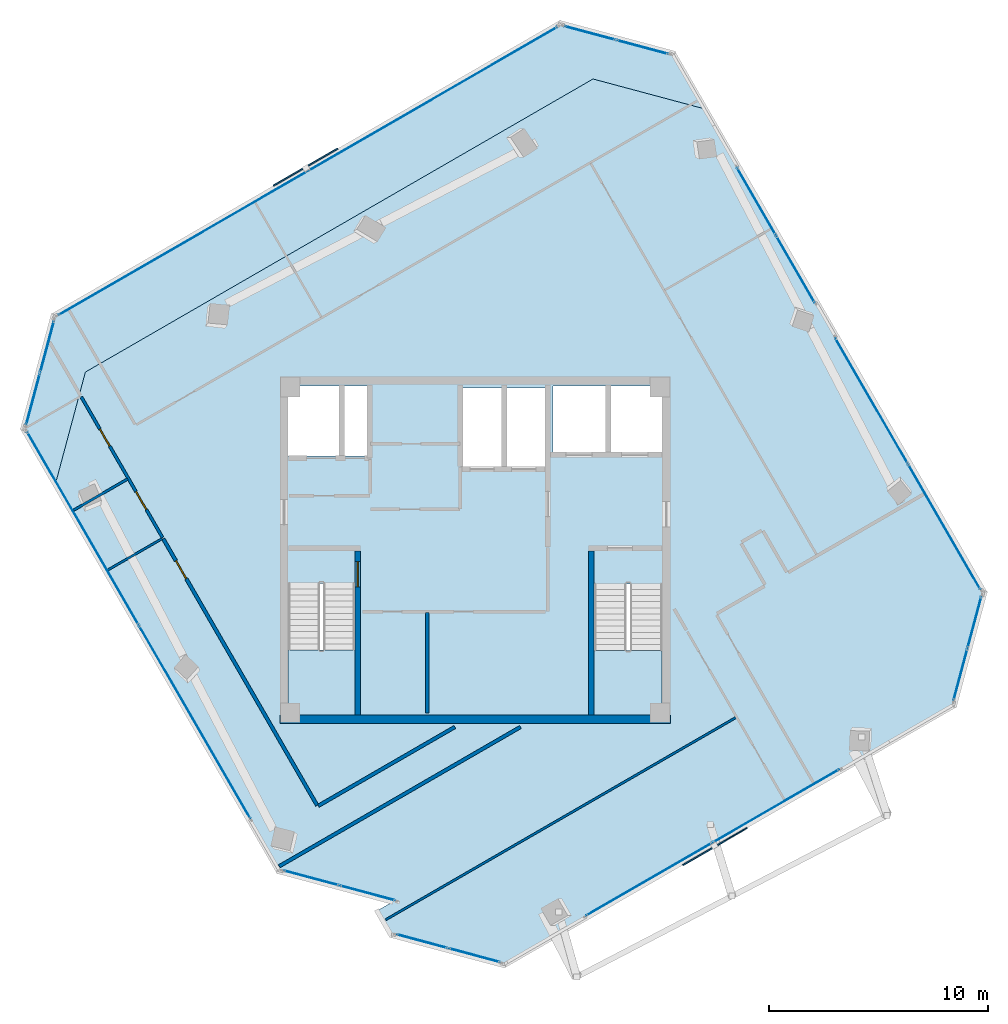
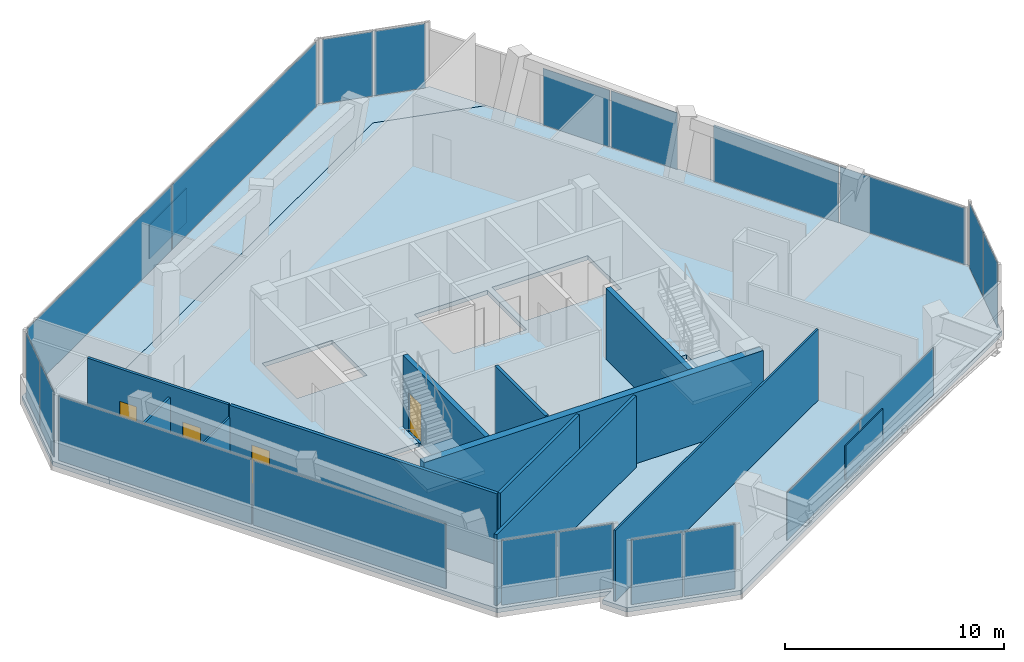
# One storey, part 10 of 15: 22 plates, 11 walls, 4 doors, 4 slabs, 4 openings, 12 elements without a shape of their own.
"""IFC4 building model written with IfcOpenShell, lengths in metres."""

from ifc_helpers import new_model, si_unit, direction, frame, frame_2d, origin, origin_2d, place, context, subcontext, project, spatial, polyline, rectangle, outline, extrude, source, transform, mapped, material, layer, layer_set, type_object, element, fill, aggregate, save


model = new_model("IFC4")

# Units and contexts
model_context = context("Model", 3, precision=1e-05, world=origin(), true_north=direction((0.0, 1.0)))
body_context = subcontext(model_context, "Body", "Model", "MODEL_VIEW")
ifc_project = project(units=[si_unit("LENGTHUNIT", "METRE"), si_unit("AREAUNIT", "SQUARE_METRE"), si_unit("VOLUMEUNIT", "CUBIC_METRE"), si_unit("PLANEANGLEUNIT", "RADIAN"), si_unit("MASSUNIT", "GRAM", prefix="KILO")], contexts=[model_context])

# Site, building, storey
site_placement = place(None, origin())
site = spatial("IfcSite", under=ifc_project, at=site_placement, CompositionType="ELEMENT")
building_placement = place(site_placement, origin())
building = spatial("IfcBuilding", under=site, at=building_placement, Name="Torre Montelarca", CompositionType="ELEMENT")
storey_placement = place(building_placement, frame((0.0, 0.0, 324.0)))
storey = spatial("IfcBuildingStorey", under=building, at=storey_placement, Name="L73", CompositionType="ELEMENT", Elevation=324.0)

# Slabs
ifc_material_1 = material(Name="Concrete C40/50", Category="concrete")
ifc_layer_1 = layer(ifc_material_1, 0.239990234375, Name="Concrete C40/50", Category="concrete")
ifc_layer_set_1 = layer_set([ifc_layer_1], Name="Concrete C40/50")
slab_type_1 = type_object("IfcSlabType", Name="SL-FLR-240", PredefinedType="FLOOR", material=ifc_layer_set_1)
slab_1_placement = place(storey_placement, frame((0.0, 0.0, -0.239990234375)))
element("IfcSlab", 1, at=slab_1_placement, inside=storey, type_object=slab_type_1, Name="L73 Structural Floor Slab", PredefinedType="FLOOR", context=body_context, shape_type="SweptSolid", body=[
    extrude(outline(polyline([(8.98828125, 17.270751953125), (14.17919921875, 15.8798828125), (13.486328125, 15.47998046875), (14.136474609375, 14.35400390625), (19.327392578125, 12.963134765625), (39.938720703125, 24.86328125), (41.32958984375, 30.05419921875), (28.57958984375, 52.1376953125), (23.388671875, 53.528564453125), (0.17919921875, 40.128662109375), (-1.211669921875, 34.937744140625), (8.98828125, 17.270751953125)]), holes=[polyline([(26.550048828125, 24.449951171875), (23.43994140625, 24.449951171875), (23.43994140625, 30.429931640625), (26.550048828125, 30.429931640625), (26.550048828125, 24.449951171875)]), polyline([(12.5, 24.449951171875), (9.449951171875, 24.449951171875), (9.449951171875, 30.4599609375), (12.5, 30.4599609375), (12.5, 24.449951171875)]), polyline([(21.25, 39.39990234375), (21.25, 35.800048828125), (17.39990234375, 35.800048828125), (17.39990234375, 39.39990234375), (21.25, 39.39990234375)]), polyline([(13.1201171875, 36.300048828125), (9.449951171875, 36.300048828125), (9.449951171875, 39.5), (13.1201171875, 39.5), (13.1201171875, 36.300048828125)]), polyline([(26.60009765625, 36.449951171875), (21.550048828125, 36.449951171875), (21.550048828125, 39.5), (26.60009765625, 39.5), (26.60009765625, 36.449951171875)])]), origin(), (0.0, 0.0, 1.0), 0.239990234375),
])
slab_2_placement = place(storey_placement, frame((0.0, 0.0, -0.239990234375)))
element("IfcSlab", 2, at=slab_2_placement, inside=storey, type_object=slab_type_1, Name="L73 Sliding Tray Winter Garden Floor Slab W1", PredefinedType="FLOOR", context=body_context, shape_type="SweptSolid", body=[
    extrude(outline(polyline([(-1.211669921875, 34.937744140625), (0.17919921875, 40.128662109375), (23.388671875, 53.528564453125), (28.57958984375, 52.1376953125), (27.07958984375, 54.73583984375), (21.888671875, 56.126708984375), (-1.32080078125, 42.726806640625), (-2.711669921875, 37.535888671875), (-1.211669921875, 34.937744140625)])), origin(), (0.0, 0.0, 1.0), 0.239990234375),
])

# Stair, slab
stair_type_1 = type_object("IfcStairType", Name="ST-CORE-ST1", PredefinedType="HALF_TURN_STAIR", material=ifc_material_1)
stair_1_placement = place(storey_placement, origin())
stair_1 = element("IfcStair", 3, at=stair_1_placement, inside=storey, type_object=stair_type_1, Name="L73 Protected Exit Stair ST1", PredefinedType="HALF_TURN_STAIR")
ifc_layer_2 = layer(ifc_material_1, 0.199951171875, Name="Concrete C40/50", Category="concrete")
ifc_layer_set_2 = layer_set([ifc_layer_2], Name="Concrete C40/50")
slab_type_2 = type_object("IfcSlabType", Name="SL-ST-LAND-ST1", PredefinedType="LANDING", material=ifc_layer_set_2)
slab_3_placement = place(storey_placement, frame((0.0, 0.0, 1.89990234375)))
slab_3 = element("IfcSlab", 4, at=slab_3_placement, type_object=slab_type_2, Name="ST1 landing 1", PredefinedType="LANDING", context=body_context, shape_type="SweptSolid", body=[
    extrude(outline(polyline([(9.449951171875, 27.419921875), (9.449951171875, 24.449951171875), (12.5, 24.449951171875), (12.5, 27.419921875), (9.449951171875, 27.419921875)])), origin(), (0.0, 0.0, 1.0), 0.2001953125),
])
aggregate(stair_1, [slab_3])

stair_type_2 = type_object("IfcStairType", Name="ST-CORE-ST2", PredefinedType="HALF_TURN_STAIR", material=ifc_material_1)
stair_2_placement = place(storey_placement, origin())
stair_2 = element("IfcStair", 5, at=stair_2_placement, inside=storey, type_object=stair_type_2, Name="L73 Protected Exit Stair ST2", PredefinedType="HALF_TURN_STAIR")
ifc_layer_3 = layer(ifc_material_1, 0.199951171875, Name="Concrete C40/50", Category="concrete")
ifc_layer_set_3 = layer_set([ifc_layer_3], Name="Concrete C40/50")
slab_type_3 = type_object("IfcSlabType", Name="SL-ST-LAND-ST2", PredefinedType="LANDING", material=ifc_layer_set_3)
slab_4_placement = place(storey_placement, frame((0.0, 0.0, 1.89990234375)))
slab_4 = element("IfcSlab", 6, at=slab_4_placement, type_object=slab_type_3, Name="ST2 landing 1", PredefinedType="LANDING", context=body_context, shape_type="SweptSolid", body=[
    extrude(outline(polyline([(23.43994140625, 27.389892578125), (23.43994140625, 24.449951171875), (26.550048828125, 24.449951171875), (26.550048828125, 27.389892578125), (23.43994140625, 27.389892578125)])), origin(), (0.0, 0.0, 1.0), 0.2001953125),
])
aggregate(stair_2, [slab_4])

# Plates
ifc_material_2 = material(Name="Architectural perforated terracotta ceramic", Category="masonry")
ifc_layer_4 = layer(ifc_material_2, 0.06005859375, Name="Architectural perforated terracotta ceramic", Category="masonry")
ifc_layer_set_4 = layer_set([ifc_layer_4], Name="Architectural perforated terracotta ceramic")
plate_type_1 = type_object("IfcPlateType", Name="SCR-CER-60", PredefinedType="USERDEFINED", material=ifc_layer_set_4)
shared_shape_1 = source(origin(), body_context, "Body", "SweptSolid", [
    extrude(rectangle(XDim=3.39990234375, YDim=0.06005859375, at=origin_2d()), origin(), (0.0, 0.0, 1.0), 1.89990234375),
])
for number, where, z_axis, x_axis, name in (
    (7, (28.962890625, 18.433837890625, 0.5), (0.0, 0.0, 1.0), (0.866025403784, 0.5, 0.0), "L73 Perforated Ceramic Brise-Soleil Screen E6-1"),
    (8, (10.243896484375, 49.49609375, 0.5), (0.0, 0.0, 1.0), (-0.866025403784, -0.5, 0.0), "L73 Perforated Ceramic Brise-Soleil Screen E10-1"),
):
    element("IfcPlate", number, at=place(storey_placement, frame(where, z_axis=z_axis, x_axis=x_axis)), inside=storey, type_object=plate_type_1, Name=name, ObjectType="SOLAR SCREEN", PredefinedType="USERDEFINED", context=body_context, shape_type="MappedRepresentation", body=[
        mapped(shared_shape_1, transform((0.0, 0.0, 0.0), scale=1.0)),
    ])

# Curtain wall, plates
ifc_material_3 = material(Name="Insulated low-E laminated glass", Category="glass")
curtain_wall_type = type_object("IfcCurtainWallType", Name="CW-SYS-Z4", PredefinedType="USERDEFINED", material=ifc_material_3)
curtain_wall_1_placement = place(storey_placement, origin())
curtain_wall_1 = element("IfcCurtainWall", 9, at=curtain_wall_1_placement, inside=storey, type_object=curtain_wall_type, Name="L73 Curtain Wall Run CW-T3-L73-E02-B1", ObjectType="UNITISED GLAZING", PredefinedType="USERDEFINED")
ifc_layer_5 = layer(ifc_material_3, 0.035888671875, Name="Insulated low-E laminated glass", Category="glass")
ifc_layer_set_5 = layer_set([ifc_layer_5], Name="Insulated low-E laminated glass")
plate_type_2 = type_object("IfcPlateType", Name="CWP-GLZ-36", PredefinedType="CURTAIN_PANEL", material=ifc_layer_set_5)
shared_shape_2 = source(origin(), body_context, "Body", "SweptSolid", [
    extrude(rectangle(XDim=2.592529296875, YDim=0.035888671875, at=origin_2d()), origin(), (0.0, 0.0, 1.0), 3.590087890625),
])
plate_1_placement = place(storey_placement, frame((10.506591796875, 16.99853515625, 0.06494140625), z_axis=(0.0, 0.0, 1.0), x_axis=(0.965925609095, -0.25881985568, 0.0)))
plate_1 = element("IfcPlate", 10, at=plate_1_placement, type_object=plate_type_2, Name="CW panel 1.1", PredefinedType="CURTAIN_PANEL", context=body_context, shape_type="MappedRepresentation", body=[
    mapped(shared_shape_2, transform((0.0, 0.0, 0.0), scale=1.0)),
])
plate_2_placement = place(storey_placement, frame((13.083251953125, 16.30810546875, 0.06494140625), z_axis=(0.0, 0.0, 1.0), x_axis=(0.965925609095, -0.25881985568, 0.0)))
plate_2 = element("IfcPlate", 11, at=plate_2_placement, type_object=plate_type_2, Name="CW panel 2.1", PredefinedType="CURTAIN_PANEL", context=body_context, shape_type="MappedRepresentation", body=[
    mapped(shared_shape_2, transform((0.0, 0.0, 0.0), scale=1.0)),
])
aggregate(curtain_wall_1, [plate_1, plate_2])

curtain_wall_2_placement = place(storey_placement, origin())
curtain_wall_2 = element("IfcCurtainWall", 12, at=curtain_wall_2_placement, inside=storey, type_object=curtain_wall_type, Name="L73 Curtain Wall Run CW-T3-L73-E05-B1", ObjectType="UNITISED GLAZING", PredefinedType="USERDEFINED")
shared_shape_3 = source(origin(), body_context, "Body", "SweptSolid", [
    extrude(rectangle(XDim=2.40869140625, YDim=0.035888671875, at=origin_2d()), origin(), (0.0, 0.0, 1.0), 3.590087890625),
])
plate_3_placement = place(storey_placement, frame((15.56591796875, 14.105712890625, 0.06494140625), z_axis=(0.0, 0.0, 1.0), x_axis=(0.965926805359, -0.258815391137, 0.0)))
plate_3 = element("IfcPlate", 13, at=plate_3_placement, type_object=plate_type_2, Name="CW panel 1.1", PredefinedType="CURTAIN_PANEL", context=body_context, shape_type="MappedRepresentation", body=[
    mapped(shared_shape_3, transform((0.0, 0.0, 0.0), scale=1.0)),
])
plate_4_placement = place(storey_placement, frame((17.965087890625, 13.462890625, 0.06494140625), z_axis=(0.0, 0.0, 1.0), x_axis=(0.965926805359, -0.258815391137, 0.0)))
plate_4 = element("IfcPlate", 14, at=plate_4_placement, type_object=plate_type_2, Name="CW panel 2.1", PredefinedType="CURTAIN_PANEL", context=body_context, shape_type="MappedRepresentation", body=[
    mapped(shared_shape_3, transform((0.0, 0.0, 0.0), scale=1.0)),
])
aggregate(curtain_wall_2, [plate_3, plate_4])

curtain_wall_3_placement = place(storey_placement, origin())
curtain_wall_3 = element("IfcCurtainWall", 15, at=curtain_wall_3_placement, inside=storey, type_object=curtain_wall_type, Name="L73 Curtain Wall Run CW-T3-L73-E07-B1", ObjectType="UNITISED GLAZING", PredefinedType="USERDEFINED")
plate_5_placement = place(storey_placement, frame((40.187255859375, 26.292724609375, 0.06494140625), z_axis=(0.0, 0.0, 1.0), x_axis=(0.258815391137, 0.965926805359, 0.0)))
plate_5 = element("IfcPlate", 16, at=plate_5_placement, type_object=plate_type_2, Name="CW panel 1.1", PredefinedType="CURTAIN_PANEL", context=body_context, shape_type="MappedRepresentation", body=[
    mapped(shared_shape_3, transform((0.0, 0.0, 0.0), scale=1.0)),
])
plate_6_placement = place(storey_placement, frame((40.830078125, 28.69189453125, 0.06494140625), z_axis=(0.0, 0.0, 1.0), x_axis=(0.258815391137, 0.965926805359, 0.0)))
plate_6 = element("IfcPlate", 17, at=plate_6_placement, type_object=plate_type_2, Name="CW panel 2.1", PredefinedType="CURTAIN_PANEL", context=body_context, shape_type="MappedRepresentation", body=[
    mapped(shared_shape_3, transform((0.0, 0.0, 0.0), scale=1.0)),
])
aggregate(curtain_wall_3, [plate_5, plate_6])

curtain_wall_4_placement = place(storey_placement, origin())
curtain_wall_4 = element("IfcCurtainWall", 18, at=curtain_wall_4_placement, inside=storey, type_object=curtain_wall_type, Name="L73 Curtain Wall Run CW-T3-L73-E09-B1", ObjectType="UNITISED GLAZING", PredefinedType="USERDEFINED")
plate_7_placement = place(storey_placement, frame((25.64990234375, 54.984375, 0.06494140625), z_axis=(0.0, 0.0, 1.0), x_axis=(-0.965926805359, 0.258815391137, 0.0)))
plate_7 = element("IfcPlate", 19, at=plate_7_placement, type_object=plate_type_2, Name="CW panel 1.1", PredefinedType="CURTAIN_PANEL", context=body_context, shape_type="MappedRepresentation", body=[
    mapped(shared_shape_3, transform((0.0, 0.0, 0.0), scale=1.0)),
])
plate_8_placement = place(storey_placement, frame((23.2509765625, 55.627197265625, 0.06494140625), z_axis=(0.0, 0.0, 1.0), x_axis=(-0.965926805359, 0.258815391137, 0.0)))
plate_8 = element("IfcPlate", 20, at=plate_8_placement, type_object=plate_type_2, Name="CW panel 2.1", PredefinedType="CURTAIN_PANEL", context=body_context, shape_type="MappedRepresentation", body=[
    mapped(shared_shape_3, transform((0.0, 0.0, 0.0), scale=1.0)),
])
aggregate(curtain_wall_4, [plate_7, plate_8])

curtain_wall_5_placement = place(storey_placement, origin())
curtain_wall_5 = element("IfcCurtainWall", 21, at=curtain_wall_5_placement, inside=storey, type_object=curtain_wall_type, Name="L73 Curtain Wall Run CW-T3-L73-E11-B1", ObjectType="UNITISED GLAZING", PredefinedType="USERDEFINED")
plate_9_placement = place(storey_placement, frame((-1.5693359375, 41.297119140625, 0.06494140625), z_axis=(0.0, 0.0, 1.0), x_axis=(-0.258815391137, -0.965926805359, 0.0)))
plate_9 = element("IfcPlate", 22, at=plate_9_placement, type_object=plate_type_2, Name="CW panel 1.1", PredefinedType="CURTAIN_PANEL", context=body_context, shape_type="MappedRepresentation", body=[
    mapped(shared_shape_3, transform((0.0, 0.0, 0.0), scale=1.0)),
])
plate_10_placement = place(storey_placement, frame((-2.212158203125, 38.898193359375, 0.06494140625), z_axis=(0.0, 0.0, 1.0), x_axis=(-0.258815391137, -0.965926805359, 0.0)))
plate_10 = element("IfcPlate", 23, at=plate_10_placement, type_object=plate_type_2, Name="CW panel 2.1", PredefinedType="CURTAIN_PANEL", context=body_context, shape_type="MappedRepresentation", body=[
    mapped(shared_shape_3, transform((0.0, 0.0, 0.0), scale=1.0)),
])
aggregate(curtain_wall_5, [plate_9, plate_10])

curtain_wall_6_placement = place(storey_placement, origin())
curtain_wall_6 = element("IfcCurtainWall", 24, at=curtain_wall_6_placement, inside=storey, type_object=curtain_wall_type, Name="L73 Curtain Wall Run CW-T3-L73-E10-B1", ObjectType="UNITISED GLAZING", PredefinedType="USERDEFINED")
shared_shape_4 = source(origin(), body_context, "Body", "SweptSolid", [
    extrude(rectangle(XDim=13.12158203125, YDim=0.035888671875, at=origin_2d()), origin(), (0.0, 0.0, 1.0), 3.590087890625),
])
plate_11_placement = place(storey_placement, frame((16.063232421875, 52.61328125, 0.06494140625), z_axis=(0.0, 0.0, 1.0), x_axis=(-0.866025339582, -0.500000111201, 0.0)))
plate_11 = element("IfcPlate", 25, at=plate_11_placement, type_object=plate_type_2, Name="CW panel 1.1", PredefinedType="CURTAIN_PANEL", context=body_context, shape_type="MappedRepresentation", body=[
    mapped(shared_shape_4, transform((0.0, 0.0, 0.0), scale=1.0)),
])
plate_12_placement = place(storey_placement, frame((4.634521484375, 46.014892578125, 0.06494140625), z_axis=(0.0, 0.0, 1.0), x_axis=(-0.866025339582, -0.500000111201, 0.0)))
plate_12 = element("IfcPlate", 26, at=plate_12_placement, type_object=plate_type_2, Name="CW panel 2.1", PredefinedType="CURTAIN_PANEL", context=body_context, shape_type="MappedRepresentation", body=[
    mapped(shared_shape_4, transform((0.0, 0.0, 0.0), scale=1.0)),
])
aggregate(curtain_wall_6, [plate_11, plate_12])

curtain_wall_7_placement = place(storey_placement, origin())
curtain_wall_7 = element("IfcCurtainWall", 27, at=curtain_wall_7_placement, inside=storey, type_object=curtain_wall_type, Name="L73 Curtain Wall Run CW-T3-L73-E01-B1", ObjectType="UNITISED GLAZING", PredefinedType="USERDEFINED")
shared_shape_5 = source(origin(), body_context, "Body", "SweptSolid", [
    extrude(rectangle(XDim=10.161865234375, YDim=0.035888671875, at=origin_2d()), origin(), (0.0, 0.0, 1.0), 3.590087890625),
])
plate_13_placement = place(storey_placement, frame((0.061767578125, 32.991943359375, 0.06494140625), z_axis=(0.0, 0.0, 1.0), x_axis=(0.500000202556, -0.866025286839, 0.0)))
plate_13 = element("IfcPlate", 28, at=plate_13_placement, type_object=plate_type_2, Name="CW panel 1.1", PredefinedType="CURTAIN_PANEL", context=body_context, shape_type="MappedRepresentation", body=[
    mapped(shared_shape_5, transform((0.0, 0.0, 0.0), scale=1.0)),
])
plate_14_placement = place(storey_placement, frame((5.18017578125, 24.126708984375, 0.06494140625), z_axis=(0.0, 0.0, 1.0), x_axis=(0.500000202556, -0.866025286839, 0.0)))
plate_14 = element("IfcPlate", 29, at=plate_14_placement, type_object=plate_type_2, Name="CW panel 2.1", PredefinedType="CURTAIN_PANEL", context=body_context, shape_type="MappedRepresentation", body=[
    mapped(shared_shape_5, transform((0.0, 0.0, 0.0), scale=1.0)),
])
aggregate(curtain_wall_7, [plate_13, plate_14])

curtain_wall_8_placement = place(storey_placement, origin())
curtain_wall_8 = element("IfcCurtainWall", 30, at=curtain_wall_8_placement, inside=storey, type_object=curtain_wall_type, Name="L73 Curtain Wall Run CW-T3-L73-E06-B1", ObjectType="UNITISED GLAZING", PredefinedType="USERDEFINED")
shared_shape_6 = source(origin(), body_context, "Body", "SweptSolid", [
    extrude(rectangle(XDim=6.637451171875, YDim=0.035888671875, at=origin_2d()), origin(), (0.0, 0.0, 1.0), 2.64501953125),
])
plate_15_placement = place(storey_placement, frame((25.951171875, 16.937744140625, 0.06494140625), z_axis=(0.0, 0.0, 1.0), x_axis=(0.866025964052, 0.499999029587, 0.0)))
plate_15 = element("IfcPlate", 31, at=plate_15_placement, type_object=plate_type_2, Name="CW panel 1.1", PredefinedType="CURTAIN_PANEL", context=body_context, shape_type="MappedRepresentation", body=[
    mapped(shared_shape_6, transform((0.0, 0.0, 0.0), scale=1.0)),
])
plate_16_placement = place(storey_placement, frame((31.764404296875, 20.2939453125, 0.06494140625), z_axis=(0.0, 0.0, 1.0), x_axis=(0.866025964052, 0.499999029587, 0.0)))
plate_16 = element("IfcPlate", 32, at=plate_16_placement, type_object=plate_type_2, Name="CW panel 2.1", PredefinedType="CURTAIN_PANEL", context=body_context, shape_type="MappedRepresentation", body=[
    mapped(shared_shape_6, transform((0.0, 0.0, 0.0), scale=1.0)),
])
aggregate(curtain_wall_8, [plate_15, plate_16])

curtain_wall_9_placement = place(storey_placement, origin())
curtain_wall_9 = element("IfcCurtainWall", 33, at=curtain_wall_9_placement, inside=storey, type_object=curtain_wall_type, Name="L73 Curtain Wall Run CW-T3-L73-E08-B1", ObjectType="UNITISED GLAZING", PredefinedType="USERDEFINED")
shared_shape_7 = source(origin(), body_context, "Body", "SweptSolid", [
    extrude(rectangle(XDim=6.58251953125, YDim=0.035888671875, at=origin_2d()), origin(), (0.0, 0.0, 1.0), 3.14501953125),
])
plate_17_placement = place(storey_placement, frame((39.450927734375, 33.0478515625, 0.06494140625), z_axis=(0.0, 0.0, 1.0), x_axis=(-0.499999358293, 0.866025774274, 0.0)))
plate_17 = element("IfcPlate", 34, at=plate_17_placement, type_object=plate_type_2, Name="CW panel 1.1", PredefinedType="CURTAIN_PANEL", context=body_context, shape_type="MappedRepresentation", body=[
    mapped(shared_shape_7, transform((0.0, 0.0, 0.0), scale=1.0)),
])
plate_18_placement = place(storey_placement, frame((36.122314453125, 38.8134765625, 0.06494140625), z_axis=(0.0, 0.0, 1.0), x_axis=(-0.499999358293, 0.866025774274, 0.0)))
plate_18 = element("IfcPlate", 35, at=plate_18_placement, type_object=plate_type_2, Name="CW panel 2.1", PredefinedType="CURTAIN_PANEL", context=body_context, shape_type="MappedRepresentation", body=[
    mapped(shared_shape_7, transform((0.0, 0.0, 0.0), scale=1.0)),
])
aggregate(curtain_wall_9, [plate_17, plate_18])

curtain_wall_10_placement = place(storey_placement, origin())
curtain_wall_10 = element("IfcCurtainWall", 36, at=curtain_wall_10_placement, inside=storey, type_object=curtain_wall_type, Name="L73 Curtain Wall Run CW-T3-L73-E08-B2", ObjectType="UNITISED GLAZING", PredefinedType="USERDEFINED")
shared_shape_8 = source(origin(), body_context, "Body", "SweptSolid", [
    extrude(rectangle(XDim=3.503173828125, YDim=0.035888671875, at=origin_2d()), origin(), (0.0, 0.0, 1.0), 3.14501953125),
])
plate_19_placement = place(storey_placement, frame((32.645751953125, 44.8349609375, 0.06494140625), z_axis=(0.0, 0.0, 1.0), x_axis=(-0.499998569184, 0.866026229865, 0.0)))
plate_19 = element("IfcPlate", 37, at=plate_19_placement, type_object=plate_type_2, Name="CW panel 1.1", PredefinedType="CURTAIN_PANEL", context=body_context, shape_type="MappedRepresentation", body=[
    mapped(shared_shape_8, transform((0.0, 0.0, 0.0), scale=1.0)),
])
plate_20_placement = place(storey_placement, frame((30.856689453125, 47.93359375, 0.06494140625), z_axis=(0.0, 0.0, 1.0), x_axis=(-0.499998569184, 0.866026229865, 0.0)))
plate_20 = element("IfcPlate", 38, at=plate_20_placement, type_object=plate_type_2, Name="CW panel 2.1", PredefinedType="CURTAIN_PANEL", context=body_context, shape_type="MappedRepresentation", body=[
    mapped(shared_shape_8, transform((0.0, 0.0, 0.0), scale=1.0)),
])
aggregate(curtain_wall_10, [plate_19, plate_20])

# Wall, opening, door
ifc_layer_6 = layer(ifc_material_1, 0.25, Name="Concrete C40/50", Category="concrete")
ifc_layer_set_6 = layer_set([ifc_layer_6], Name="Concrete C40/50")
wall_type_1 = type_object("IfcWallType", Name="CW-SHAFT-250", PredefinedType="SHEAR", material=ifc_layer_set_6)
wall_1_placement = place(storey_placement, frame((12.625, 24.4599609375, 0.0), z_axis=(0.0, 0.0, 1.0), x_axis=(0.0, 1.0, 0.0)))
wall_1 = element("IfcWall", 39, at=wall_1_placement, inside=storey, type_object=wall_type_1, Name="L73 Core Shear Wall SH-ST1-E", PredefinedType="SHEAR", context=body_context, shape_type="SweptSolid", body=[
    extrude(rectangle(XDim=7.489990234375, YDim=0.25, at=frame_2d((3.7451171875, 0.0))), origin(), (0.0, 0.0, 1.0), 3.9599609375),
])
opening_1_placement = place(wall_1_placement, frame((5.85009765625, 0.0, 0.0)))
opening_1 = element("IfcOpeningElement", 40, at=opening_1_placement, cuts=wall_1, Name="Opening FD-ST1", PredefinedType="OPENING", context=body_context, shape_type="SweptSolid", body=[
    extrude(rectangle(XDim=1.14990234375, YDim=2.199951171875, at=frame_2d((0.574951171875, 1.10009765625))), frame((0.0, 0.135009765625, 0.0), z_axis=(0.0, -1.0, 0.0), x_axis=(1.0, 0.0, 0.0)), (0.0, 0.0, 1.0), 0.27001953125),
])
ifc_material_4 = material(Name="Galvanized steel fire door", Category="steel")
door_type_1 = type_object("IfcDoorType", Name="DR-STAIR-115", OperationType="NOTDEFINED", PredefinedType="DOOR", material=ifc_material_4)
shared_shape_9 = source(origin(), body_context, "Body", "SweptSolid", [
    extrude(rectangle(XDim=1.14990234375, YDim=2.199951171875, at=frame_2d((0.574951171875, 1.10009765625))), frame((0.0, 0.02490234375, 0.0), z_axis=(0.0, -1.0, 0.0), x_axis=(1.0, 0.0, 0.0)), (0.0, 0.0, 1.0), 0.050048828125),
])
door_1_placement = place(opening_1_placement, origin())
door_1 = element("IfcDoor", 41, at=door_1_placement, inside=storey, type_object=door_type_1, Name="L73 Exit Stair ST1 Fire Door", OperationType="SINGLE_SWING_RIGHT", OverallHeight=2.199951171875, OverallWidth=1.14990234375, PredefinedType="DOOR", context=body_context, shape_type="MappedRepresentation", body=[
    mapped(shared_shape_9, transform((0.0, 0.0, 0.0), scale=1.0)),
])
fill(opening_1, door_1)

# Walls
wall_2_placement = place(storey_placement, frame((23.31494140625, 24.4599609375, 0.0), z_axis=(0.0, 0.0, 1.0), x_axis=(0.0, 1.0, 0.0)))
element("IfcWall", 42, at=wall_2_placement, inside=storey, type_object=wall_type_1, Name="L73 Core Shear Wall SH-ST2-W", PredefinedType="SHEAR", context=body_context, shape_type="SweptSolid", body=[
    extrude(rectangle(XDim=7.489990234375, YDim=0.25, at=frame_2d((3.7451171875, 0.0))), origin(), (0.0, 0.0, 1.0), 3.9599609375),
])
ifc_layer_7 = layer(ifc_material_1, 0.3798828125, Name="Concrete C40/50", Category="concrete")
ifc_layer_set_7 = layer_set([ifc_layer_7], Name="Concrete C40/50")
wall_type_2 = type_object("IfcWallType", Name="CW-SHEAR-380", PredefinedType="SHEAR", material=ifc_layer_set_7)
wall_3_placement = place(storey_placement, frame((9.070068359375, 24.260009765625, 0.0), z_axis=(0.0, 0.0, 1.0), x_axis=(1.0, 0.0, 0.0)))
element("IfcWall", 43, at=wall_3_placement, inside=storey, type_object=wall_type_2, Name="L73 Core Shear Wall CW-S1", PredefinedType="SHEAR", context=body_context, shape_type="SweptSolid", body=[
    extrude(rectangle(XDim=17.85986328125, YDim=0.3798828125, at=frame_2d((8.929931640625, 0.0))), origin(), (0.0, 0.0, 1.0), 3.9599609375),
])
ifc_material_5 = material(Name="Gypsum plasterboard on steel stud", Category="steel")
ifc_layer_8 = layer(ifc_material_5, 0.159912109375, Name="Gypsum plasterboard on steel stud", Category="steel")
ifc_layer_set_8 = layer_set([ifc_layer_8], Name="Gypsum plasterboard on steel stud")
wall_type_3 = type_object("IfcWallType", Name="PW-FIRE-160", PredefinedType="PARTITIONING", material=ifc_layer_set_8)
wall_4_placement = place(storey_placement, frame((15.800048828125, 24.5400390625, 0.0), z_axis=(0.0, 0.0, 1.0), x_axis=(0.0, 1.0, 0.0)))
element("IfcWall", 44, at=wall_4_placement, inside=storey, type_object=wall_type_3, Name="L73 Interior Partition CW-L73-FRD1", PredefinedType="PARTITIONING", context=body_context, shape_type="SweptSolid", body=[
    extrude(rectangle(XDim=4.599853515625, YDim=0.159912109375, at=frame_2d((2.2998046875, 0.0))), origin(), (0.0, 0.0, 1.0), 3.9599609375),
])

# Wall, opening, door
wall_5_placement = place(storey_placement, frame((3.741943359375, 32.497802734375, 0.0), z_axis=(0.0, 0.0, 1.0), x_axis=(0.500005830994, -0.866022037233, 0.0)))
wall_5 = element("IfcWall", 45, at=wall_5_placement, inside=storey, type_object=wall_type_3, Name="L73 Interior Partition W-L73-SOCCN", PredefinedType="PARTITIONING", context=body_context, shape_type="SweptSolid", body=[
    extrude(rectangle(XDim=14.070068359375, YDim=0.159912109375, at=frame_2d((7.03515625, 0.0))), origin(), (0.0, 0.0, 1.0), 3.9599609375),
])
opening_2_placement = place(wall_5_placement, frame((1.14990234375, 0.0, 0.0)))
opening_2 = element("IfcOpeningElement", 46, at=opening_2_placement, cuts=wall_5, Name="Opening FD-095", PredefinedType="OPENING", context=body_context, shape_type="SweptSolid", body=[
    extrude(rectangle(XDim=0.949951171875, YDim=2.14990234375, at=frame_2d((0.47509765625, 1.074951171875))), frame((0.0, 0.08984375, 0.0), z_axis=(0.0, -1.0, 0.0), x_axis=(1.0, 0.0, 0.0)), (0.0, 0.0, 1.0), 0.179931640625),
])
ifc_material_6 = material(Name="Timber fire-rated room door", Category="wood")
door_type_2 = type_object("IfcDoorType", Name="DR-FIRE-095", OperationType="NOTDEFINED", PredefinedType="DOOR", material=ifc_material_6)
shared_shape_10 = source(origin(), body_context, "Body", "SweptSolid", [
    extrude(rectangle(XDim=0.949951171875, YDim=2.14990234375, at=frame_2d((0.47509765625, 1.074951171875))), frame((0.0, 0.02490234375, 0.0), z_axis=(0.0, -1.0, 0.0), x_axis=(1.0, 0.0, 0.0)), (0.0, 0.0, 1.0), 0.050048828125),
])
door_2_placement = place(opening_2_placement, origin())
door_2 = element("IfcDoor", 47, at=door_2_placement, inside=storey, type_object=door_type_2, Name="L73 Interior Door 08", OperationType="SINGLE_SWING_RIGHT", OverallHeight=2.14990234375, OverallWidth=0.949951171875, PredefinedType="DOOR", context=body_context, shape_type="MappedRepresentation", body=[
    mapped(shared_shape_10, transform((0.0, 0.0, 0.0), scale=1.0)),
])
fill(opening_2, door_2)

# Walls
wall_6_placement = place(storey_placement, frame((10.83154296875, 20.298095703125, 0.0), z_axis=(0.0, 0.0, 1.0), x_axis=(0.866042809144, 0.499969851821, 0.0)))
element("IfcWall", 48, at=wall_6_placement, inside=storey, type_object=wall_type_3, Name="L73 Interior Partition W-L73-SOCCW3", PredefinedType="PARTITIONING", context=body_context, shape_type="SweptSolid", body=[
    extrude(rectangle(XDim=7.2041015625, YDim=0.159912109375, at=frame_2d((3.60205078125, 0.0))), origin(), (0.0, 0.0, 1.0), 3.9599609375),
])
wall_7_placement = place(storey_placement, frame((9.044189453125, 17.533935546875, 0.0), z_axis=(0.0, 0.0, 1.0), x_axis=(0.866029119881, 0.499993563477, 0.0)))
element("IfcWall", 49, at=wall_7_placement, inside=storey, type_object=wall_type_3, Name="L73 Interior Partition W-L73-ECS", PredefinedType="PARTITIONING", context=body_context, shape_type="SweptSolid", body=[
    extrude(rectangle(XDim=12.732177734375, YDim=0.159912109375, at=frame_2d((6.3662109375, 0.0))), origin(), (0.0, 0.0, 1.0), 3.9599609375),
])
ifc_material_7 = material(Name="Acoustic laminated glass partition", Category="glass")
ifc_layer_9 = layer(ifc_material_7, 0.10009765625, Name="Acoustic laminated glass partition", Category="glass")
ifc_layer_set_9 = layer_set([ifc_layer_9], Name="Acoustic laminated glass partition")
wall_type_4 = type_object("IfcWallType", Name="PW-GLAZ-100", PredefinedType="PARTITIONING", material=ifc_layer_set_9)
wall_8_placement = place(storey_placement, frame((1.21923828125, 31.08740234375, 0.0), z_axis=(0.0, 0.0, 1.0), x_axis=(0.866062911188, 0.499935029643, 0.0)))
element("IfcWall", 50, at=wall_8_placement, inside=storey, type_object=wall_type_4, Name="L73 Interior Partition W-L73-SWCDIV", PredefinedType="PARTITIONING", context=body_context, shape_type="SweptSolid", body=[
    extrude(rectangle(XDim=2.85009765625, YDim=0.10009765625, at=frame_2d((1.425048828125, 0.0))), origin(), (0.0, 0.0, 1.0), 3.294921875),
])
wall_9_placement = place(storey_placement, frame((13.917236328125, 15.093505859375, 0.0), z_axis=(0.0, 0.0, 1.0), x_axis=(0.86602564517, 0.499999581907, 0.0)))
element("IfcWall", 51, at=wall_9_placement, inside=storey, type_object=wall_type_4, Name="L73 Interior Partition W-L73-SEDIV-1", PredefinedType="PARTITIONING", context=body_context, shape_type="SweptSolid", body=[
    extrude(rectangle(XDim=18.47998046875, YDim=0.10009765625, at=frame_2d((9.239990234375, 0.0))), origin(), (0.0, 0.0, 1.0), 3.9599609375),
])
ifc_layer_10 = layer(ifc_material_5, 0.114990234375, Name="Gypsum plasterboard on steel stud", Category="steel")
ifc_layer_set_10 = layer_set([ifc_layer_10], Name="Gypsum plasterboard on steel stud")
wall_type_5 = type_object("IfcWallType", Name="PW-PART-115", PredefinedType="PARTITIONING", material=ifc_layer_set_10)
wall_10_placement = place(storey_placement, frame((-0.355712890625, 33.815185546875, 0.0), z_axis=(0.0, 0.0, 1.0), x_axis=(0.866004402611, 0.500036373335, 0.0)))
element("IfcWall", 52, at=wall_10_placement, inside=storey, type_object=wall_type_5, Name="L73 Interior Partition W-L73-WCD", PredefinedType="PARTITIONING", context=body_context, shape_type="SweptSolid", body=[
    extrude(rectangle(XDim=2.849853515625, YDim=0.114990234375, at=frame_2d((1.4248046875, 0.0))), origin(), (0.0, 0.0, 1.0), 3.294921875),
])

# Wall, openings, doors
ifc_layer_11 = layer(ifc_material_5, 0.135009765625, Name="Gypsum plasterboard on steel stud", Category="steel")
ifc_layer_set_11 = layer_set([ifc_layer_11], Name="Gypsum plasterboard on steel stud")
wall_type_6 = type_object("IfcWallType", Name="PW-PART-135", PredefinedType="PARTITIONING", material=ifc_layer_set_11)
wall_11_placement = place(storey_placement, frame((-0.008056640625, 38.992919921875, 0.0), z_axis=(0.0, 0.0, 1.0), x_axis=(0.49998923004, -0.866031621735, 0.0)))
wall_11 = element("IfcWall", 53, at=wall_11_placement, inside=storey, type_object=wall_type_6, Name="L73 Interior Partition W-L73-WCN", PredefinedType="PARTITIONING", context=body_context, shape_type="SweptSolid", body=[
    extrude(rectangle(XDim=7.420166015625, YDim=0.135009765625, at=frame_2d((3.7099609375, 0.0))), origin(), (0.0, 0.0, 1.0), 3.9599609375),
])
opening_3_placement = place(wall_11_placement, frame((1.699951171875, 0.0, 0.0)))
opening_3 = element("IfcOpeningElement", 54, at=opening_3_placement, cuts=wall_11, Name="Opening ID-090", PredefinedType="OPENING", context=body_context, shape_type="SweptSolid", body=[
    extrude(rectangle(XDim=0.89990234375, YDim=2.14990234375, at=frame_2d((0.449951171875, 1.074951171875))), frame((0.0, 0.07763671875, 0.0), z_axis=(0.0, -1.0, 0.0), x_axis=(1.0, 0.0, 0.0)), (0.0, 0.0, 1.0), 0.155029296875),
])
opening_4_placement = place(wall_11_placement, frame((5.0, 0.0, 0.0)))
opening_4 = element("IfcOpeningElement", 55, at=opening_4_placement, cuts=wall_11, Name="Opening ID-095", PredefinedType="OPENING", context=body_context, shape_type="SweptSolid", body=[
    extrude(rectangle(XDim=0.949951171875, YDim=2.14990234375, at=frame_2d((0.47509765625, 1.074951171875))), frame((0.0, 0.07763671875, 0.0), z_axis=(0.0, -1.0, 0.0), x_axis=(1.0, 0.0, 0.0)), (0.0, 0.0, 1.0), 0.155029296875),
])
ifc_material_8 = material(Name="Hardwood acoustic timber veneer", Category="wood")
door_type_3 = type_object("IfcDoorType", Name="DR-INT-090", OperationType="NOTDEFINED", PredefinedType="DOOR", material=ifc_material_8)
shared_shape_11 = source(origin(), body_context, "Body", "SweptSolid", [
    extrude(rectangle(XDim=0.89990234375, YDim=2.14990234375, at=frame_2d((0.449951171875, 1.074951171875))), frame((0.0, 0.02490234375, 0.0), z_axis=(0.0, -1.0, 0.0), x_axis=(1.0, 0.0, 0.0)), (0.0, 0.0, 1.0), 0.050048828125),
])
door_3_placement = place(opening_3_placement, origin())
door_3 = element("IfcDoor", 56, at=door_3_placement, inside=storey, type_object=door_type_3, Name="L73 Interior Door 06", OperationType="SINGLE_SWING_LEFT", OverallHeight=2.14990234375, OverallWidth=0.89990234375, PredefinedType="DOOR", context=body_context, shape_type="MappedRepresentation", body=[
    mapped(shared_shape_11, transform((0.0, 0.0, 0.0), scale=1.0)),
])
fill(opening_3, door_3)
door_type_4 = type_object("IfcDoorType", Name="DR-INT-095", OperationType="NOTDEFINED", PredefinedType="DOOR", material=ifc_material_8)
shared_shape_12 = source(origin(), body_context, "Body", "SweptSolid", [
    extrude(rectangle(XDim=0.949951171875, YDim=2.14990234375, at=frame_2d((0.47509765625, 1.074951171875))), frame((0.0, 0.02490234375, 0.0), z_axis=(0.0, -1.0, 0.0), x_axis=(1.0, 0.0, 0.0)), (0.0, 0.0, 1.0), 0.050048828125),
])
door_4_placement = place(opening_4_placement, origin())
door_4 = element("IfcDoor", 57, at=door_4_placement, inside=storey, type_object=door_type_4, Name="L73 Interior Door 07", OperationType="SINGLE_SWING_RIGHT", OverallHeight=2.14990234375, OverallWidth=0.949951171875, PredefinedType="DOOR", context=body_context, shape_type="MappedRepresentation", body=[
    mapped(shared_shape_12, transform((0.0, 0.0, 0.0), scale=1.0)),
])
fill(opening_4, door_4)

save(model, "model.ifc")
